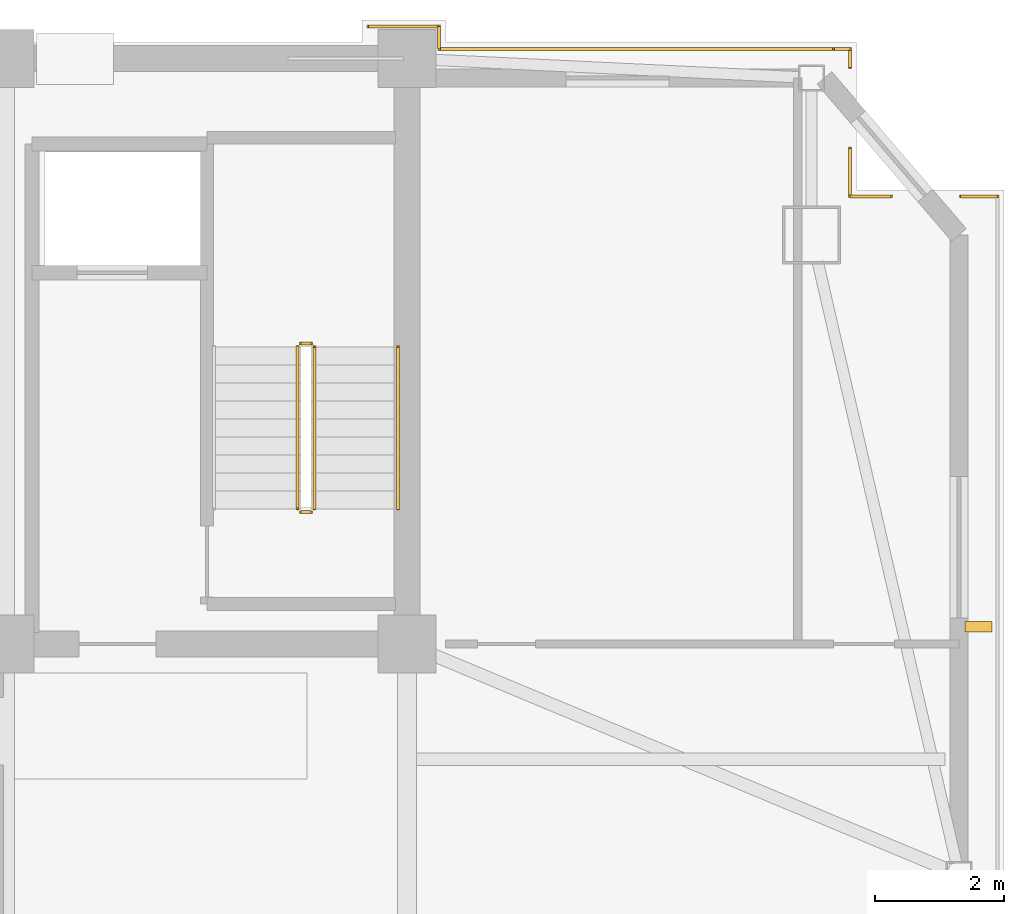
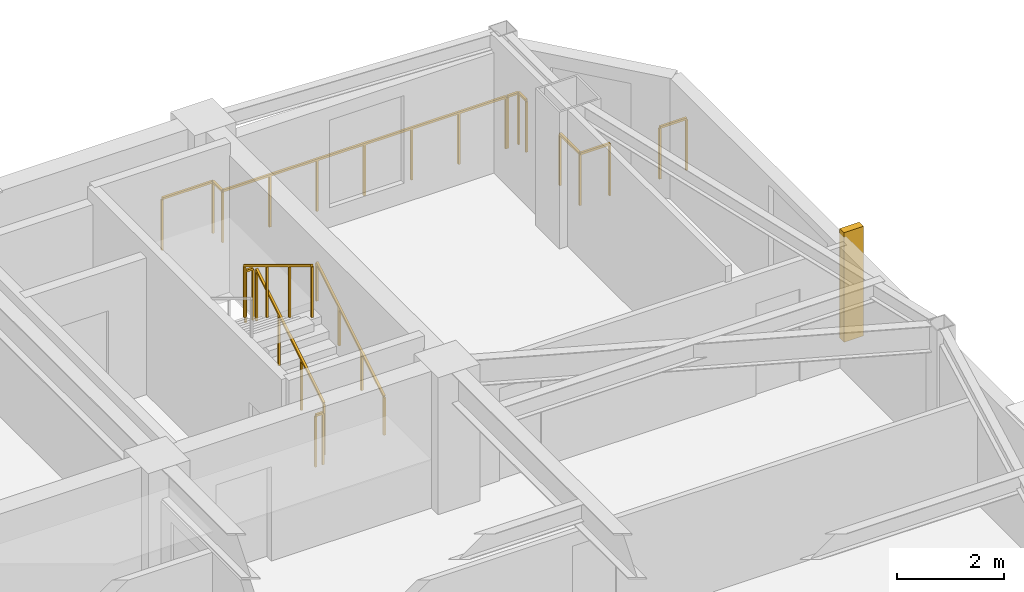
# One storey, part 13 of 13: 13 railings, 1 shading device.
"""IFC4 building model written with IfcOpenShell, lengths in metres."""

from ifc_helpers import new_model, si_unit, direction, frame, origin, origin_2d, place, context, subcontext, project, spatial, rectangle, extrude, source, transform, mapped, material, type_object, element, save


model = new_model("IFC4")

# Units and contexts
model_context = context("Model", 3, precision=1e-05, world=origin(), true_north=direction((0.0, 1.0)))
body_context = subcontext(model_context, "Body", "Model", "MODEL_VIEW")
ifc_project = project(units=[si_unit("LENGTHUNIT", "METRE"), si_unit("AREAUNIT", "SQUARE_METRE"), si_unit("VOLUMEUNIT", "CUBIC_METRE"), si_unit("PLANEANGLEUNIT", "RADIAN"), si_unit("MASSUNIT", "GRAM", prefix="KILO")], contexts=[model_context])

# Site, building, storey
site_placement = place(None, origin())
site = spatial("IfcSite", under=ifc_project, at=site_placement, CompositionType="ELEMENT")
building_placement = place(site_placement, origin())
building = spatial("IfcBuilding", under=site, at=building_placement, Name="Giltprow Tower", CompositionType="ELEMENT")
storey_placement = place(building_placement, frame((0.0, 0.0, 324.39990234375)))
storey = spatial("IfcBuildingStorey", under=building, at=storey_placement, Name="L84", CompositionType="ELEMENT", Elevation=324.39990234375)

# Railings
ifc_material = material(Name="Anodized bronze", Category="metal")
railing_type_1 = type_object("IfcRailingType", Name="RAIL-BALC-GUARD-1200", PredefinedType="BALUSTRADE", material=ifc_material)
railing_1_placement = place(storey_placement, frame((49.949951171875, 47.050048828125, 0.0)))
element("IfcRailing", 1, at=railing_1_placement, inside=storey, type_object=railing_type_1, Name="L84 Corner Apron Edge Balustrade 22", PredefinedType="BALUSTRADE", context=body_context, shape_type="SweptSolid", body=[
    extrude(rectangle(XDim=0.048095703125, YDim=0.048095703125, at=origin_2d()), frame((0.0, 0.0, 1.17578125), z_axis=(1.0, 0.0, 0.0), x_axis=(0.0, 1.0, 0.0)), (0.0, 0.0, 1.0), 1.10009765625),
    extrude(rectangle(XDim=0.0419921875, YDim=0.0419921875, at=origin_2d()), origin(), (0.0, 0.0, 1.0), 1.15185546875),
    extrude(rectangle(XDim=0.0419921875, YDim=0.0419921875, at=origin_2d()), frame((1.10009765625, 0.0, 0.0)), (0.0, 0.0, 1.0), 1.15185546875),
])
railing_2_placement = place(storey_placement, frame((51.050048828125, 47.050048828125, 0.0)))
element("IfcRailing", 2, at=railing_2_placement, inside=storey, type_object=railing_type_1, Name="L84 Corner Apron Edge Balustrade 23", PredefinedType="BALUSTRADE", context=body_context, shape_type="SweptSolid", body=[
    extrude(rectangle(XDim=0.048095703125, YDim=0.048095703125, at=origin_2d()), frame((0.0, 0.0, 1.17578125), z_axis=(0.0, -1.0, 0.0), x_axis=(1.0, 0.0, 0.0)), (0.0, 0.0, 1.0), 0.35009765625),
    extrude(rectangle(XDim=0.0419921875, YDim=0.0419921875, at=origin_2d()), origin(), (0.0, 0.0, 1.0), 1.15185546875),
    extrude(rectangle(XDim=0.0419921875, YDim=0.0419921875, at=origin_2d()), frame((0.0, -0.35009765625, 0.0)), (0.0, 0.0, 1.0), 1.15185546875),
])
railing_3_placement = place(storey_placement, frame((51.050048828125, 46.699951171875, 0.0)))
element("IfcRailing", 3, at=railing_3_placement, inside=storey, type_object=railing_type_1, Name="L84 Corner Apron Edge Balustrade 24", PredefinedType="BALUSTRADE", context=body_context, shape_type="SweptSolid", body=[
    extrude(rectangle(XDim=0.048095703125, YDim=0.048095703125, at=origin_2d()), frame((0.0, 0.0, 1.17578125), z_axis=(1.0, 0.0, 0.0), x_axis=(0.0, 1.0, 0.0)), (0.0, 0.0, 1.0), 6.114990234375),
    extrude(rectangle(XDim=0.0419921875, YDim=0.0419921875, at=origin_2d()), origin(), (0.0, 0.0, 1.0), 1.15185546875),
    extrude(rectangle(XDim=0.0419921875, YDim=0.0419921875, at=origin_2d()), frame((1.01904296875, 0.0, 0.0)), (0.0, 0.0, 1.0), 1.15185546875),
    extrude(rectangle(XDim=0.0419921875, YDim=0.0419921875, at=origin_2d()), frame((2.038330078125, 0.0, 0.0)), (0.0, 0.0, 1.0), 1.15185546875),
    extrude(rectangle(XDim=0.0419921875, YDim=0.0419921875, at=origin_2d()), frame((3.0576171875, 0.0, 0.0)), (0.0, 0.0, 1.0), 1.15185546875),
    extrude(rectangle(XDim=0.0419921875, YDim=0.0419921875, at=origin_2d()), frame((4.07666015625, 0.0, 0.0)), (0.0, 0.0, 1.0), 1.15185546875),
    extrude(rectangle(XDim=0.0419921875, YDim=0.0419921875, at=origin_2d()), frame((5.095703125, 0.0, 0.0)), (0.0, 0.0, 1.0), 1.15185546875),
    extrude(rectangle(XDim=0.0419921875, YDim=0.0419921875, at=origin_2d()), frame((6.114990234375, 0.0, 0.0)), (0.0, 0.0, 1.0), 1.15185546875),
])
railing_4_placement = place(storey_placement, frame((57.193115234375, 46.699951171875, 0.0)))
element("IfcRailing", 4, at=railing_4_placement, inside=storey, type_object=railing_type_1, Name="L84 Corner Apron Edge Balustrade 25", PredefinedType="BALUSTRADE", context=body_context, shape_type="SweptSolid", body=[
    extrude(rectangle(XDim=0.048095703125, YDim=0.048095703125, at=origin_2d()), frame((0.0, 0.0, 1.17578125), z_axis=(1.0, 0.0, 0.0), x_axis=(0.0, 1.0, 0.0)), (0.0, 0.0, 1.0), 0.244873046875),
    extrude(rectangle(XDim=0.0419921875, YDim=0.0419921875, at=origin_2d()), origin(), (0.0, 0.0, 1.0), 1.15185546875),
    extrude(rectangle(XDim=0.0419921875, YDim=0.0419921875, at=origin_2d()), frame((0.244873046875, 0.0, 0.0)), (0.0, 0.0, 1.0), 1.15185546875),
])
railing_5_placement = place(storey_placement, frame((57.43798828125, 46.699951171875, 0.0)))
element("IfcRailing", 5, at=railing_5_placement, inside=storey, type_object=railing_type_1, Name="L84 Corner Apron Edge Balustrade 26", PredefinedType="BALUSTRADE", context=body_context, shape_type="SweptSolid", body=[
    extrude(rectangle(XDim=0.048095703125, YDim=0.048095703125, at=origin_2d()), frame((0.0, 0.0, 1.17578125), z_axis=(0.0, -1.0, 0.0), x_axis=(1.0, 0.0, 0.0)), (0.0, 0.0, 1.0), 0.285888671875),
    extrude(rectangle(XDim=0.0419921875, YDim=0.0419921875, at=origin_2d()), origin(), (0.0, 0.0, 1.0), 1.15185546875),
    extrude(rectangle(XDim=0.0419921875, YDim=0.0419921875, at=origin_2d()), frame((0.0, -0.285888671875, 0.0)), (0.0, 0.0, 1.0), 1.15185546875),
])
railing_6_placement = place(storey_placement, frame((57.43798828125, 45.154052734375, 0.0)))
element("IfcRailing", 6, at=railing_6_placement, inside=storey, type_object=railing_type_1, Name="L84 Corner Apron Edge Balustrade 27", PredefinedType="BALUSTRADE", context=body_context, shape_type="SweptSolid", body=[
    extrude(rectangle(XDim=0.048095703125, YDim=0.048095703125, at=origin_2d()), frame((0.0, 0.0, 1.17578125), z_axis=(0.0, -1.0, 0.0), x_axis=(1.0, 0.0, 0.0)), (0.0, 0.0, 1.0), 0.74609375),
    extrude(rectangle(XDim=0.0419921875, YDim=0.0419921875, at=origin_2d()), origin(), (0.0, 0.0, 1.0), 1.15185546875),
    extrude(rectangle(XDim=0.0419921875, YDim=0.0419921875, at=origin_2d()), frame((0.0, -0.74609375, 0.0)), (0.0, 0.0, 1.0), 1.15185546875),
])
railing_7_placement = place(storey_placement, frame((57.43798828125, 44.407958984375, 0.0)))
element("IfcRailing", 7, at=railing_7_placement, inside=storey, type_object=railing_type_1, Name="L84 Corner Apron Edge Balustrade 28", PredefinedType="BALUSTRADE", context=body_context, shape_type="SweptSolid", body=[
    extrude(rectangle(XDim=0.048095703125, YDim=0.048095703125, at=origin_2d()), frame((0.0, 0.0, 1.17578125), z_axis=(1.0, 0.0, 0.0), x_axis=(0.0, 1.0, 0.0)), (0.0, 0.0, 1.0), 0.638916015625),
    extrude(rectangle(XDim=0.0419921875, YDim=0.0419921875, at=origin_2d()), origin(), (0.0, 0.0, 1.0), 1.15185546875),
    extrude(rectangle(XDim=0.0419921875, YDim=0.0419921875, at=origin_2d()), frame((0.638916015625, 0.0, 0.0)), (0.0, 0.0, 1.0), 1.15185546875),
])
railing_8_placement = place(storey_placement, frame((59.156982421875, 44.407958984375, 0.0)))
element("IfcRailing", 8, at=railing_8_placement, inside=storey, type_object=railing_type_1, Name="L84 Corner Apron Edge Balustrade 29", PredefinedType="BALUSTRADE", context=body_context, shape_type="SweptSolid", body=[
    extrude(rectangle(XDim=0.048095703125, YDim=0.048095703125, at=origin_2d()), frame((0.0, 0.0, 1.17578125), z_axis=(1.0, 0.0, 0.0), x_axis=(0.0, 1.0, 0.0)), (0.0, 0.0, 1.0), 0.573974609375),
    extrude(rectangle(XDim=0.0419921875, YDim=0.0419921875, at=origin_2d()), origin(), (0.0, 0.0, 1.0), 1.15185546875),
    extrude(rectangle(XDim=0.0419921875, YDim=0.0419921875, at=origin_2d()), frame((0.573974609375, 0.0, 0.0)), (0.0, 0.0, 1.0), 1.15185546875),
])
railing_type_2 = type_object("IfcRailingType", Name="RAIL-STAIR-GUARD-1200", PredefinedType="GUARDRAIL", material=ifc_material)
railing_9_placement = place(storey_placement, frame((49.110107421875, 39.550048828125, 0.170166015625)))
element("IfcRailing", 9, at=railing_9_placement, inside=storey, type_object=railing_type_2, Name="L84 ST-3 stair guard 1", PredefinedType="GUARDRAIL", context=body_context, shape_type="SweptSolid", body=[
    extrude(rectangle(XDim=0.048095703125, YDim=0.048095703125, at=origin_2d()), frame((0.0, 0.0, 1.17578125), z_axis=(0.0, 0.85478489116, 0.518982456201), x_axis=(-1.0, 0.0, 0.0)), (0.0, 0.0, 1.0), 2.9482421875),
    extrude(rectangle(XDim=0.0419921875, YDim=0.0419921875, at=origin_2d()), origin(), (0.0, 0.0, 1.0), 1.15185546875),
    extrude(rectangle(XDim=0.0419921875, YDim=0.0419921875, at=origin_2d()), frame((0.0, 0.840087890625, 0.510009765625)), (0.0, 0.0, 1.0), 1.15185546875),
    extrude(rectangle(XDim=0.0419921875, YDim=0.0419921875, at=origin_2d()), frame((0.0, 1.679931640625, 1.02001953125)), (0.0, 0.0, 1.0), 1.15185546875),
    extrude(rectangle(XDim=0.0419921875, YDim=0.0419921875, at=origin_2d()), frame((0.0, 2.52001953125, 1.530029296875)), (0.0, 0.0, 1.0), 1.15185546875),
])
railing_10_placement = place(storey_placement, frame((49.06005859375, 42.1201171875, 1.7001953125)))
element("IfcRailing", 10, at=railing_10_placement, inside=storey, type_object=railing_type_2, Name="L84 ST-3 stair guard 2", PredefinedType="GUARDRAIL", context=body_context, shape_type="SweptSolid", body=[
    extrude(rectangle(XDim=0.048095703125, YDim=0.048095703125, at=origin_2d()), frame((0.0, 0.0, 1.17578125), z_axis=(-1.0, 0.0, 0.0), x_axis=(0.0, -1.0, 0.0)), (0.0, 0.0, 1.0), 0.16015625),
    extrude(rectangle(XDim=0.0419921875, YDim=0.0419921875, at=origin_2d()), origin(), (0.0, 0.0, 1.0), 1.15185546875),
    extrude(rectangle(XDim=0.0419921875, YDim=0.0419921875, at=origin_2d()), frame((-0.16015625, 0.0, 0.0)), (0.0, 0.0, 1.0), 1.15185546875),
])
railing_11_placement = place(storey_placement, frame((48.85009765625, 42.070068359375, 1.8701171875)))
element("IfcRailing", 11, at=railing_11_placement, inside=storey, type_object=railing_type_2, Name="L84 ST-3 stair guard 3", PredefinedType="GUARDRAIL", context=body_context, shape_type="SweptSolid", body=[
    extrude(rectangle(XDim=0.048095703125, YDim=0.048095703125, at=origin_2d()), frame((0.0, 0.0, 1.17578125), z_axis=(0.0, -0.85478489116, 0.518982456201), x_axis=(1.0, 0.0, 0.0)), (0.0, 0.0, 1.0), 2.9482421875),
    extrude(rectangle(XDim=0.0419921875, YDim=0.0419921875, at=origin_2d()), origin(), (0.0, 0.0, 1.0), 1.15185546875),
    extrude(rectangle(XDim=0.0419921875, YDim=0.0419921875, at=origin_2d()), frame((0.0, -0.840087890625, 0.510009765625)), (0.0, 0.0, 1.0), 1.15185546875),
    extrude(rectangle(XDim=0.0419921875, YDim=0.0419921875, at=origin_2d()), frame((0.0, -1.679931640625, 1.02001953125)), (0.0, 0.0, 1.0), 1.15185546875),
    extrude(rectangle(XDim=0.0419921875, YDim=0.0419921875, at=origin_2d()), frame((0.0, -2.52001953125, 1.530029296875)), (0.0, 0.0, 1.0), 1.15185546875),
])
railing_12_placement = place(storey_placement, frame((49.06005859375, 39.5, 0.0)))
element("IfcRailing", 12, at=railing_12_placement, inside=storey, type_object=railing_type_2, Name="L84 ST-3 stair guard 4", PredefinedType="GUARDRAIL", context=body_context, shape_type="SweptSolid", body=[
    extrude(rectangle(XDim=0.048095703125, YDim=0.048095703125, at=origin_2d()), frame((0.0, 0.0, 1.17578125), z_axis=(-1.0, 0.0, 0.0), x_axis=(0.0, -1.0, 0.0)), (0.0, 0.0, 1.0), 0.16015625),
    extrude(rectangle(XDim=0.0419921875, YDim=0.0419921875, at=origin_2d()), origin(), (0.0, 0.0, 1.0), 1.15185546875),
    extrude(rectangle(XDim=0.0419921875, YDim=0.0419921875, at=origin_2d()), frame((-0.16015625, 0.0, 0.0)), (0.0, 0.0, 1.0), 1.15185546875),
])
railing_type_3 = type_object("IfcRailingType", Name="RAIL-STAIR-HAND-900", PredefinedType="HANDRAIL", material=ifc_material)
railing_13_placement = place(storey_placement, frame((50.409912109375, 39.550048828125, 0.170166015625)))
element("IfcRailing", 13, at=railing_13_placement, inside=storey, type_object=railing_type_3, Name="L84 ST-3 stair handrail 1", PredefinedType="HANDRAIL", context=body_context, shape_type="SweptSolid", body=[
    extrude(rectangle(XDim=0.048095703125, YDim=0.048095703125, at=origin_2d()), frame((0.0, 0.0, 0.8759765625), z_axis=(0.0, 0.85478489116, 0.518982456201), x_axis=(-1.0, 0.0, 0.0)), (0.0, 0.0, 1.0), 2.9482421875),
    extrude(rectangle(XDim=0.0419921875, YDim=0.0419921875, at=origin_2d()), origin(), (0.0, 0.0, 1.0), 0.851806640625),
    extrude(rectangle(XDim=0.0419921875, YDim=0.0419921875, at=origin_2d()), frame((0.0, 0.840087890625, 0.510009765625)), (0.0, 0.0, 1.0), 0.851806640625),
    extrude(rectangle(XDim=0.0419921875, YDim=0.0419921875, at=origin_2d()), frame((0.0, 1.679931640625, 1.02001953125)), (0.0, 0.0, 1.0), 0.851806640625),
    extrude(rectangle(XDim=0.0419921875, YDim=0.0419921875, at=origin_2d()), frame((0.0, 2.52001953125, 1.530029296875)), (0.0, 0.0, 1.0), 0.851806640625),
])

# Shading device
shading_device_type = type_object("IfcShadingDeviceType", Name="SHD-FIN-420", PredefinedType="USERDEFINED", material=ifc_material)
shared_shape = source(origin(), body_context, "Body", "SweptSolid", [
    extrude(rectangle(XDim=0.419921875, YDim=0.159912109375, at=origin_2d()), origin(), (0.0, 0.0, 1.0), 2.5),
])
shading_device_placement = place(storey_placement, frame((59.430908203125, 37.718017578125, 0.35009765625), z_axis=(0.0, 0.0, 1.0), x_axis=(1.0, 0.0, 0.0)))
element("IfcShadingDevice", 14, at=shading_device_placement, inside=storey, type_object=shading_device_type, Name="L84 E Bronze Vertical Fin 2-1", ObjectType="FIN", PredefinedType="USERDEFINED", context=body_context, shape_type="MappedRepresentation", body=[
    mapped(shared_shape, transform((0.0, 0.0, 0.0), x_axis=(1.0, 0.0, 0.0), y_axis=(0.0, 1.0, 0.0), z_axis=(0.0, 0.0, 1.0), scale=1.0)),
])

save(model, "model.ifc")
